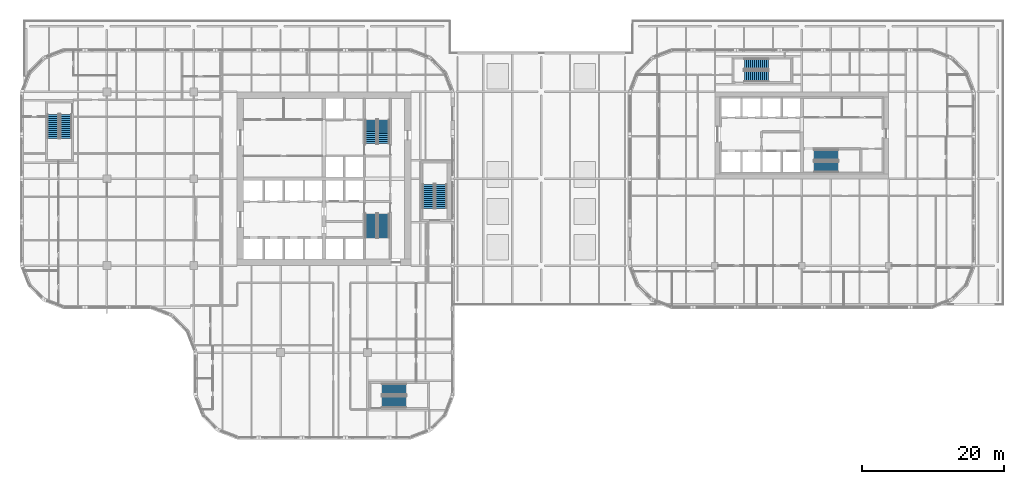
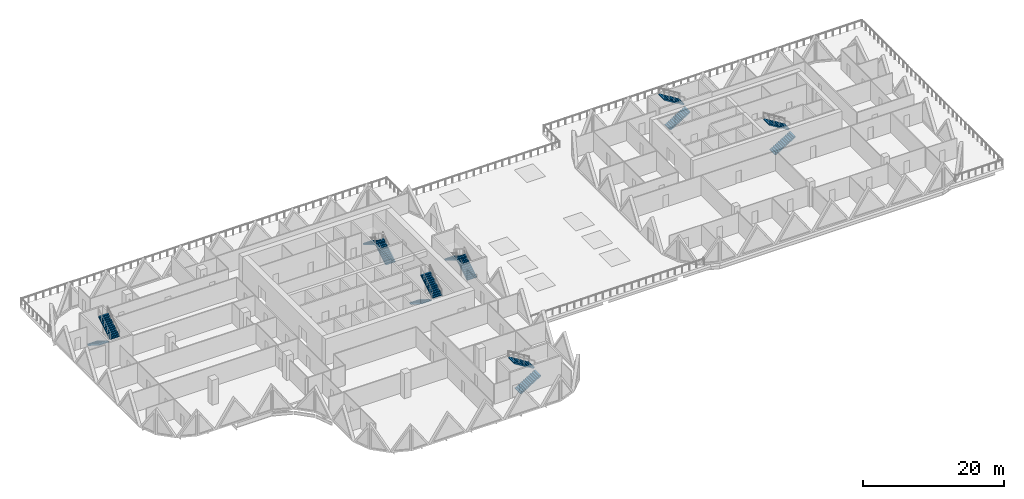
# One storey, part 18 of 21: 14 stair flights, 7 elements without a shape of their own.
"""IFC4 building model written with IfcOpenShell, lengths in metres."""

from ifc_helpers import new_model, si_unit, direction, frame, origin, place, context, subcontext, project, spatial, polyline, outline, extrude, material, type_object, element, aggregate, save


model = new_model("IFC4")

# Units and contexts
model_context = context("Model", 3, precision=1e-05, world=origin(), true_north=direction((0.0, 1.0)))
body_context = subcontext(model_context, "Body", "Model", "MODEL_VIEW")
ifc_project = project(units=[si_unit("LENGTHUNIT", "METRE"), si_unit("AREAUNIT", "SQUARE_METRE"), si_unit("VOLUMEUNIT", "CUBIC_METRE"), si_unit("PLANEANGLEUNIT", "RADIAN"), si_unit("MASSUNIT", "GRAM", prefix="KILO")], contexts=[model_context])

# Site, building, storey
site_placement = place(None, origin())
site = spatial("IfcSite", under=ifc_project, at=site_placement, CompositionType="ELEMENT")
building_placement = place(site_placement, origin())
building = spatial("IfcBuilding", under=site, at=building_placement, Name="Tessera Gate Towers", CompositionType="ELEMENT")
storey_placement = place(building_placement, frame((0.0, 0.0, 16.800048828125)))
storey = spatial("IfcBuildingStorey", under=building, at=storey_placement, Name="L03", CompositionType="ELEMENT", Elevation=16.800048828125)

# Stair, stair flights
ifc_material_1 = material(Name="Concrete C40/50", Category="concrete")
stair_type_1 = type_object("IfcStairType", Name="EXIT STAIR ST1B 1600", PredefinedType="HALF_TURN_STAIR", material=ifc_material_1)
stair_1_placement = place(storey_placement, origin())
stair_1 = element("IfcStair", 1, at=stair_1_placement, inside=storey, type_object=stair_type_1, Name="L03 Protected Exit Stair ST1", PredefinedType="HALF_TURN_STAIR")
ifc_material_2 = material(Name="Concrete C40/50", Category="concrete")
stair_flight_type_1 = type_object("IfcStairFlightType", Name="EXIT STAIR FLIGHT ST1B 1600", PredefinedType="STRAIGHT", material=ifc_material_2)
stair_flight_1_placement = place(storey_placement, frame((49.27490234375, 31.675048828125, 0.0), z_axis=(0.0, 0.0, 1.0), x_axis=(0.0, -1.0, 0.0)))
stair_flight_1 = element("IfcStairFlight", 2, at=stair_flight_1_placement, type_object=stair_flight_type_1, Name="ST1 flight 1", NumberOfRisers=13, NumberOfTreads=12, PredefinedType="STRAIGHT", RiserHeight=0.173076923, TreadLength=0.28, context=body_context, shape_type="SweptSolid", body=[
    extrude(outline(polyline([(0.0, 0.0), (0.0, 0.173095703125), (0.280029296875, 0.173095703125), (0.280029296875, 0.34619140625), (0.56005859375, 0.34619140625), (0.56005859375, 0.519287109375), (0.840087890625, 0.519287109375), (0.840087890625, 0.6923828125), (1.1201171875, 0.6923828125), (1.1201171875, 0.865478515625), (1.39990234375, 0.865478515625), (1.39990234375, 1.03857421875), (1.679931640625, 1.03857421875), (1.679931640625, 1.21142578125), (1.9599609375, 1.21142578125), (1.9599609375, 1.384521484375), (2.239990234375, 1.384521484375), (2.239990234375, 1.5576171875), (2.52001953125, 1.5576171875), (2.52001953125, 1.730712890625), (2.800048828125, 1.730712890625), (2.800048828125, 1.90380859375), (3.080078125, 1.90380859375), (3.080078125, 2.076904296875), (3.360107421875, 2.076904296875), (3.360107421875, 2.25), (3.360107421875, 1.900634765625), (0.28515625, 0.0), (0.0, 0.0)])), frame((0.0, 0.800048828125, 0.0), z_axis=(0.0, -1.0, 0.0), x_axis=(1.0, 0.0, 0.0)), (0.0, 0.0, 1.0), 1.60009765625),
])
stair_flight_2_placement = place(storey_placement, frame((51.074951171875, 28.31494140625, 2.25), z_axis=(0.0, 0.0, 1.0), x_axis=(0.0, 1.0, 0.0)))
stair_flight_2 = element("IfcStairFlight", 3, at=stair_flight_2_placement, type_object=stair_flight_type_1, Name="ST1 flight 2", NumberOfRisers=13, NumberOfTreads=12, PredefinedType="STRAIGHT", RiserHeight=0.173076923, TreadLength=0.28, context=body_context, shape_type="SweptSolid", body=[
    extrude(outline(polyline([(0.0, 0.0), (0.0, 0.173095703125), (0.280029296875, 0.173095703125), (0.280029296875, 0.34619140625), (0.56005859375, 0.34619140625), (0.56005859375, 0.519287109375), (0.840087890625, 0.519287109375), (0.840087890625, 0.6923828125), (1.1201171875, 0.6923828125), (1.1201171875, 0.865478515625), (1.39990234375, 0.865478515625), (1.39990234375, 1.03857421875), (1.679931640625, 1.03857421875), (1.679931640625, 1.21142578125), (1.9599609375, 1.21142578125), (1.9599609375, 1.384521484375), (2.239990234375, 1.384521484375), (2.239990234375, 1.5576171875), (2.52001953125, 1.5576171875), (2.52001953125, 1.730712890625), (2.800048828125, 1.730712890625), (2.800048828125, 1.90380859375), (3.080078125, 1.90380859375), (3.080078125, 2.076904296875), (3.360107421875, 2.076904296875), (3.360107421875, 2.25), (3.360107421875, 1.900634765625), (0.28515625, 0.0), (0.0, 0.0)])), frame((0.0, 0.800048828125, 0.0), z_axis=(0.0, -1.0, 0.0), x_axis=(1.0, 0.0, 0.0)), (0.0, 0.0, 1.0), 1.60009765625),
])
aggregate(stair_1, [stair_flight_1, stair_flight_2])

ifc_material_3 = material(Name="Concrete C40/50", Category="concrete")
stair_type_2 = type_object("IfcStairType", Name="EXIT STAIR ST2B 1600", PredefinedType="HALF_TURN_STAIR", material=ifc_material_3)
stair_2_placement = place(storey_placement, origin())
stair_2 = element("IfcStair", 4, at=stair_2_placement, inside=storey, type_object=stair_type_2, Name="L03 Protected Exit Stair ST2", PredefinedType="HALF_TURN_STAIR")
ifc_material_4 = material(Name="Concrete C40/50", Category="concrete")
stair_flight_type_2 = type_object("IfcStairFlightType", Name="EXIT STAIR FLIGHT ST2B 1600", PredefinedType="STRAIGHT", material=ifc_material_4)
stair_flight_3_placement = place(storey_placement, frame((51.074951171875, 41.52490234375, 0.0), z_axis=(0.0, 0.0, 1.0), x_axis=(0.0, 1.0, 0.0)))
stair_flight_3 = element("IfcStairFlight", 5, at=stair_flight_3_placement, type_object=stair_flight_type_2, Name="ST2 flight 1", NumberOfRisers=13, NumberOfTreads=12, PredefinedType="STRAIGHT", RiserHeight=0.173076923, TreadLength=0.28, context=body_context, shape_type="SweptSolid", body=[
    extrude(outline(polyline([(0.0, 0.0), (0.0, 0.173095703125), (0.280029296875, 0.173095703125), (0.280029296875, 0.34619140625), (0.56005859375, 0.34619140625), (0.56005859375, 0.519287109375), (0.840087890625, 0.519287109375), (0.840087890625, 0.6923828125), (1.1201171875, 0.6923828125), (1.1201171875, 0.865478515625), (1.39990234375, 0.865478515625), (1.39990234375, 1.03857421875), (1.679931640625, 1.03857421875), (1.679931640625, 1.21142578125), (1.9599609375, 1.21142578125), (1.9599609375, 1.384521484375), (2.239990234375, 1.384521484375), (2.239990234375, 1.5576171875), (2.52001953125, 1.5576171875), (2.52001953125, 1.730712890625), (2.800048828125, 1.730712890625), (2.800048828125, 1.90380859375), (3.080078125, 1.90380859375), (3.080078125, 2.076904296875), (3.360107421875, 2.076904296875), (3.360107421875, 2.25), (3.360107421875, 1.900634765625), (0.28515625, 0.0), (0.0, 0.0)])), frame((0.0, 0.800048828125, 0.0), z_axis=(0.0, -1.0, 0.0), x_axis=(1.0, 0.0, 0.0)), (0.0, 0.0, 1.0), 1.60009765625),
])
stair_flight_4_placement = place(storey_placement, frame((49.27490234375, 44.885009765625, 2.25), z_axis=(0.0, 0.0, 1.0), x_axis=(0.0, -1.0, 0.0)))
stair_flight_4 = element("IfcStairFlight", 6, at=stair_flight_4_placement, type_object=stair_flight_type_2, Name="ST2 flight 2", NumberOfRisers=13, NumberOfTreads=12, PredefinedType="STRAIGHT", RiserHeight=0.173076923, TreadLength=0.28, context=body_context, shape_type="SweptSolid", body=[
    extrude(outline(polyline([(0.0, 0.0), (0.0, 0.173095703125), (0.280029296875, 0.173095703125), (0.280029296875, 0.34619140625), (0.56005859375, 0.34619140625), (0.56005859375, 0.519287109375), (0.840087890625, 0.519287109375), (0.840087890625, 0.6923828125), (1.1201171875, 0.6923828125), (1.1201171875, 0.865478515625), (1.39990234375, 0.865478515625), (1.39990234375, 1.03857421875), (1.679931640625, 1.03857421875), (1.679931640625, 1.21142578125), (1.9599609375, 1.21142578125), (1.9599609375, 1.384521484375), (2.239990234375, 1.384521484375), (2.239990234375, 1.5576171875), (2.52001953125, 1.5576171875), (2.52001953125, 1.730712890625), (2.800048828125, 1.730712890625), (2.800048828125, 1.90380859375), (3.080078125, 1.90380859375), (3.080078125, 2.076904296875), (3.360107421875, 2.076904296875), (3.360107421875, 2.25), (3.360107421875, 1.900634765625), (0.28515625, 0.0), (0.0, 0.0)])), frame((0.0, 0.800048828125, 0.0), z_axis=(0.0, -1.0, 0.0), x_axis=(1.0, 0.0, 0.0)), (0.0, 0.0, 1.0), 1.60009765625),
])
aggregate(stair_2, [stair_flight_3, stair_flight_4])

ifc_material_5 = material(Name="Concrete C40/50", Category="concrete")
stair_type_3 = type_object("IfcStairType", Name="EXIT STAIR ST3B 1600", PredefinedType="HALF_TURN_STAIR", material=ifc_material_5)
stair_3_placement = place(storey_placement, origin())
stair_3 = element("IfcStair", 7, at=stair_3_placement, inside=storey, type_object=stair_type_3, Name="L03 West Exit Stair ST3", PredefinedType="HALF_TURN_STAIR")
ifc_material_6 = material(Name="Concrete C40/50", Category="concrete")
stair_flight_type_3 = type_object("IfcStairFlightType", Name="EXIT STAIR FLIGHT ST3B 1600", PredefinedType="STRAIGHT", material=ifc_material_6)
stair_flight_5_placement = place(storey_placement, frame((4.64990234375, 45.64990234375, 0.0), z_axis=(0.0, 0.0, 1.0), x_axis=(0.0, -1.0, 0.0)))
stair_flight_5 = element("IfcStairFlight", 8, at=stair_flight_5_placement, type_object=stair_flight_type_3, Name="ST3 flight 1", NumberOfRisers=13, NumberOfTreads=12, PredefinedType="STRAIGHT", RiserHeight=0.173076923, TreadLength=0.28, context=body_context, shape_type="SweptSolid", body=[
    extrude(outline(polyline([(0.0, 0.0), (0.0, 0.173095703125), (0.280029296875, 0.173095703125), (0.280029296875, 0.34619140625), (0.56005859375, 0.34619140625), (0.56005859375, 0.519287109375), (0.840087890625, 0.519287109375), (0.840087890625, 0.6923828125), (1.1201171875, 0.6923828125), (1.1201171875, 0.865478515625), (1.39990234375, 0.865478515625), (1.39990234375, 1.03857421875), (1.679931640625, 1.03857421875), (1.679931640625, 1.21142578125), (1.9599609375, 1.21142578125), (1.9599609375, 1.384521484375), (2.239990234375, 1.384521484375), (2.239990234375, 1.5576171875), (2.52001953125, 1.5576171875), (2.52001953125, 1.730712890625), (2.800048828125, 1.730712890625), (2.800048828125, 1.90380859375), (3.080078125, 1.90380859375), (3.080078125, 2.076904296875), (3.360107421875, 2.076904296875), (3.360107421875, 2.25), (3.360107421875, 1.900634765625), (0.28515625, 0.0), (0.0, 0.0)])), frame((0.0, 0.800048828125, 0.0), z_axis=(0.0, -1.0, 0.0), x_axis=(1.0, 0.0, 0.0)), (0.0, 0.0, 1.0), 1.60009765625),
])
stair_flight_6_placement = place(storey_placement, frame((6.449951171875, 42.2900390625, 2.25), z_axis=(0.0, 0.0, 1.0), x_axis=(0.0, 1.0, 0.0)))
stair_flight_6 = element("IfcStairFlight", 9, at=stair_flight_6_placement, type_object=stair_flight_type_3, Name="ST3 flight 2", NumberOfRisers=13, NumberOfTreads=12, PredefinedType="STRAIGHT", RiserHeight=0.173076923, TreadLength=0.28, context=body_context, shape_type="SweptSolid", body=[
    extrude(outline(polyline([(0.0, 0.0), (0.0, 0.173095703125), (0.280029296875, 0.173095703125), (0.280029296875, 0.34619140625), (0.56005859375, 0.34619140625), (0.56005859375, 0.519287109375), (0.840087890625, 0.519287109375), (0.840087890625, 0.6923828125), (1.1201171875, 0.6923828125), (1.1201171875, 0.865478515625), (1.39990234375, 0.865478515625), (1.39990234375, 1.03857421875), (1.679931640625, 1.03857421875), (1.679931640625, 1.21142578125), (1.9599609375, 1.21142578125), (1.9599609375, 1.384521484375), (2.239990234375, 1.384521484375), (2.239990234375, 1.5576171875), (2.52001953125, 1.5576171875), (2.52001953125, 1.730712890625), (2.800048828125, 1.730712890625), (2.800048828125, 1.90380859375), (3.080078125, 1.90380859375), (3.080078125, 2.076904296875), (3.360107421875, 2.076904296875), (3.360107421875, 2.25), (3.360107421875, 1.900634765625), (0.28515625, 0.0), (0.0, 0.0)])), frame((0.0, 0.800048828125, 0.0), z_axis=(0.0, -1.0, 0.0), x_axis=(1.0, 0.0, 0.0)), (0.0, 0.0, 1.0), 1.60009765625),
])
aggregate(stair_3, [stair_flight_5, stair_flight_6])

ifc_material_7 = material(Name="Concrete C40/50", Category="concrete")
stair_type_4 = type_object("IfcStairType", Name="EXIT STAIR ST4B 1600", PredefinedType="HALF_TURN_STAIR", material=ifc_material_7)
stair_4_placement = place(storey_placement, origin())
stair_4 = element("IfcStair", 10, at=stair_4_placement, inside=storey, type_object=stair_type_4, Name="L03 South Exit Stair ST4", PredefinedType="HALF_TURN_STAIR")
ifc_material_8 = material(Name="Concrete C40/50", Category="concrete")
stair_flight_type_4 = type_object("IfcStairFlightType", Name="EXIT STAIR FLIGHT ST4B 1600", PredefinedType="STRAIGHT", material=ifc_material_8)
stair_flight_7_placement = place(storey_placement, frame((50.85009765625, 5.25, 0.0), z_axis=(0.0, 0.0, 1.0), x_axis=(1.0, 0.0, 0.0)))
stair_flight_7 = element("IfcStairFlight", 11, at=stair_flight_7_placement, type_object=stair_flight_type_4, Name="ST4 flight 1", NumberOfRisers=13, NumberOfTreads=12, PredefinedType="STRAIGHT", RiserHeight=0.173076923, TreadLength=0.28, context=body_context, shape_type="SweptSolid", body=[
    extrude(outline(polyline([(0.0, 0.0), (0.0, 0.173095703125), (0.280029296875, 0.173095703125), (0.280029296875, 0.34619140625), (0.56005859375, 0.34619140625), (0.56005859375, 0.519287109375), (0.840087890625, 0.519287109375), (0.840087890625, 0.6923828125), (1.1201171875, 0.6923828125), (1.1201171875, 0.865478515625), (1.39990234375, 0.865478515625), (1.39990234375, 1.03857421875), (1.679931640625, 1.03857421875), (1.679931640625, 1.21142578125), (1.9599609375, 1.21142578125), (1.9599609375, 1.384521484375), (2.239990234375, 1.384521484375), (2.239990234375, 1.5576171875), (2.52001953125, 1.5576171875), (2.52001953125, 1.730712890625), (2.800048828125, 1.730712890625), (2.800048828125, 1.90380859375), (3.080078125, 1.90380859375), (3.080078125, 2.076904296875), (3.360107421875, 2.076904296875), (3.360107421875, 2.25), (3.360107421875, 1.900634765625), (0.28515625, 0.0), (0.0, 0.0)])), frame((0.0, 0.800048828125, 0.0), z_axis=(0.0, -1.0, 0.0), x_axis=(1.0, 0.0, 0.0)), (0.0, 0.0, 1.0), 1.60009765625),
])
stair_flight_8_placement = place(storey_placement, frame((54.2099609375, 7.050048828125, 2.25), z_axis=(0.0, 0.0, 1.0), x_axis=(-1.0, 0.0, 0.0)))
stair_flight_8 = element("IfcStairFlight", 12, at=stair_flight_8_placement, type_object=stair_flight_type_4, Name="ST4 flight 2", NumberOfRisers=13, NumberOfTreads=12, PredefinedType="STRAIGHT", RiserHeight=0.173076923, TreadLength=0.28, context=body_context, shape_type="SweptSolid", body=[
    extrude(outline(polyline([(0.0, 0.0), (0.0, 0.173095703125), (0.280029296875, 0.173095703125), (0.280029296875, 0.34619140625), (0.56005859375, 0.34619140625), (0.56005859375, 0.519287109375), (0.840087890625, 0.519287109375), (0.840087890625, 0.6923828125), (1.1201171875, 0.6923828125), (1.1201171875, 0.865478515625), (1.39990234375, 0.865478515625), (1.39990234375, 1.03857421875), (1.679931640625, 1.03857421875), (1.679931640625, 1.21142578125), (1.9599609375, 1.21142578125), (1.9599609375, 1.384521484375), (2.239990234375, 1.384521484375), (2.239990234375, 1.5576171875), (2.52001953125, 1.5576171875), (2.52001953125, 1.730712890625), (2.800048828125, 1.730712890625), (2.800048828125, 1.90380859375), (3.080078125, 1.90380859375), (3.080078125, 2.076904296875), (3.360107421875, 2.076904296875), (3.360107421875, 2.25), (3.360107421875, 1.900634765625), (0.28515625, 0.0), (0.0, 0.0)])), frame((0.0, 0.800048828125, 0.0), z_axis=(0.0, -1.0, 0.0), x_axis=(1.0, 0.0, 0.0)), (0.0, 0.0, 1.0), 1.60009765625),
])
aggregate(stair_4, [stair_flight_7, stair_flight_8])

ifc_material_9 = material(Name="Concrete C40/50", Category="concrete")
stair_type_5 = type_object("IfcStairType", Name="EXIT STAIR ST5B 1600", PredefinedType="HALF_TURN_STAIR", material=ifc_material_9)
stair_5_placement = place(storey_placement, origin())
stair_5 = element("IfcStair", 13, at=stair_5_placement, inside=storey, type_object=stair_type_5, Name="L03 East Exit Stair ST5", PredefinedType="HALF_TURN_STAIR")
ifc_material_10 = material(Name="Concrete C40/50", Category="concrete")
stair_flight_type_5 = type_object("IfcStairFlightType", Name="EXIT STAIR FLIGHT ST5B 1600", PredefinedType="STRAIGHT", material=ifc_material_10)
stair_flight_9_placement = place(storey_placement, frame((59.14990234375, 32.449951171875, 0.0), z_axis=(0.0, 0.0, 1.0), x_axis=(0.0, 1.0, 0.0)))
stair_flight_9 = element("IfcStairFlight", 14, at=stair_flight_9_placement, type_object=stair_flight_type_5, Name="ST5 flight 1", NumberOfRisers=13, NumberOfTreads=12, PredefinedType="STRAIGHT", RiserHeight=0.173076923, TreadLength=0.28, context=body_context, shape_type="SweptSolid", body=[
    extrude(outline(polyline([(0.0, 0.0), (0.0, 0.173095703125), (0.280029296875, 0.173095703125), (0.280029296875, 0.34619140625), (0.56005859375, 0.34619140625), (0.56005859375, 0.519287109375), (0.840087890625, 0.519287109375), (0.840087890625, 0.6923828125), (1.1201171875, 0.6923828125), (1.1201171875, 0.865478515625), (1.39990234375, 0.865478515625), (1.39990234375, 1.03857421875), (1.679931640625, 1.03857421875), (1.679931640625, 1.21142578125), (1.9599609375, 1.21142578125), (1.9599609375, 1.384521484375), (2.239990234375, 1.384521484375), (2.239990234375, 1.5576171875), (2.52001953125, 1.5576171875), (2.52001953125, 1.730712890625), (2.800048828125, 1.730712890625), (2.800048828125, 1.90380859375), (3.080078125, 1.90380859375), (3.080078125, 2.076904296875), (3.360107421875, 2.076904296875), (3.360107421875, 2.25), (3.360107421875, 1.900634765625), (0.28515625, 0.0), (0.0, 0.0)])), frame((0.0, 0.800048828125, 0.0), z_axis=(0.0, -1.0, 0.0), x_axis=(1.0, 0.0, 0.0)), (0.0, 0.0, 1.0), 1.60009765625),
])
stair_flight_10_placement = place(storey_placement, frame((57.35009765625, 35.81005859375, 2.25), z_axis=(0.0, 0.0, 1.0), x_axis=(0.0, -1.0, 0.0)))
stair_flight_10 = element("IfcStairFlight", 15, at=stair_flight_10_placement, type_object=stair_flight_type_5, Name="ST5 flight 2", NumberOfRisers=13, NumberOfTreads=12, PredefinedType="STRAIGHT", RiserHeight=0.173076923, TreadLength=0.28, context=body_context, shape_type="SweptSolid", body=[
    extrude(outline(polyline([(0.0, 0.0), (0.0, 0.173095703125), (0.280029296875, 0.173095703125), (0.280029296875, 0.34619140625), (0.56005859375, 0.34619140625), (0.56005859375, 0.519287109375), (0.840087890625, 0.519287109375), (0.840087890625, 0.6923828125), (1.1201171875, 0.6923828125), (1.1201171875, 0.865478515625), (1.39990234375, 0.865478515625), (1.39990234375, 1.03857421875), (1.679931640625, 1.03857421875), (1.679931640625, 1.21142578125), (1.9599609375, 1.21142578125), (1.9599609375, 1.384521484375), (2.239990234375, 1.384521484375), (2.239990234375, 1.5576171875), (2.52001953125, 1.5576171875), (2.52001953125, 1.730712890625), (2.800048828125, 1.730712890625), (2.800048828125, 1.90380859375), (3.080078125, 1.90380859375), (3.080078125, 2.076904296875), (3.360107421875, 2.076904296875), (3.360107421875, 2.25), (3.360107421875, 1.900634765625), (0.28515625, 0.0), (0.0, 0.0)])), frame((0.0, 0.800048828125, 0.0), z_axis=(0.0, -1.0, 0.0), x_axis=(1.0, 0.0, 0.0)), (0.0, 0.0, 1.0), 1.60009765625),
])
aggregate(stair_5, [stair_flight_9, stair_flight_10])

ifc_material_11 = material(Name="Concrete C40/50", Category="concrete")
stair_type_6 = type_object("IfcStairType", Name="EXIT STAIR ST6B 1500", PredefinedType="HALF_TURN_STAIR", material=ifc_material_11)
stair_6_placement = place(storey_placement, origin())
stair_6 = element("IfcStair", 16, at=stair_6_placement, inside=storey, type_object=stair_type_6, Name="L03 Protected Exit Stair ST6", PredefinedType="HALF_TURN_STAIR")
ifc_material_12 = material(Name="Concrete C40/50", Category="concrete")
stair_flight_type_6 = type_object("IfcStairFlightType", Name="EXIT STAIR FLIGHT ST6B 1500", PredefinedType="STRAIGHT", material=ifc_material_12)
stair_flight_11_placement = place(storey_placement, frame((111.550048828125, 38.25, 0.0), z_axis=(0.0, 0.0, 1.0), x_axis=(1.0, 0.0, 0.0)))
stair_flight_11 = element("IfcStairFlight", 17, at=stair_flight_11_placement, type_object=stair_flight_type_6, Name="ST6 flight 1", NumberOfRisers=13, NumberOfTreads=12, PredefinedType="STRAIGHT", RiserHeight=0.173076923, TreadLength=0.28, context=body_context, shape_type="SweptSolid", body=[
    extrude(outline(polyline([(0.0, 0.0), (0.0, 0.173095703125), (0.280029296875, 0.173095703125), (0.280029296875, 0.34619140625), (0.56005859375, 0.34619140625), (0.56005859375, 0.519287109375), (0.840087890625, 0.519287109375), (0.840087890625, 0.6923828125), (1.1201171875, 0.6923828125), (1.1201171875, 0.865478515625), (1.39990234375, 0.865478515625), (1.39990234375, 1.03857421875), (1.679931640625, 1.03857421875), (1.679931640625, 1.21142578125), (1.9599609375, 1.21142578125), (1.9599609375, 1.384521484375), (2.239990234375, 1.384521484375), (2.239990234375, 1.5576171875), (2.52001953125, 1.5576171875), (2.52001953125, 1.730712890625), (2.800048828125, 1.730712890625), (2.800048828125, 1.90380859375), (3.080078125, 1.90380859375), (3.080078125, 2.076904296875), (3.360107421875, 2.076904296875), (3.360107421875, 2.25), (3.360107421875, 1.900634765625), (0.28515625, 0.0), (0.0, 0.0)])), frame((0.0, 0.75, 0.0), z_axis=(0.0, -1.0, 0.0), x_axis=(1.0, 0.0, 0.0)), (0.0, 0.0, 1.0), 1.5),
])
stair_flight_12_placement = place(storey_placement, frame((114.909912109375, 39.949951171875, 2.25), z_axis=(0.0, 0.0, 1.0), x_axis=(-1.0, 0.0, 0.0)))
stair_flight_12 = element("IfcStairFlight", 18, at=stair_flight_12_placement, type_object=stair_flight_type_6, Name="ST6 flight 2", NumberOfRisers=13, NumberOfTreads=12, PredefinedType="STRAIGHT", RiserHeight=0.173076923, TreadLength=0.28, context=body_context, shape_type="SweptSolid", body=[
    extrude(outline(polyline([(0.0, 0.0), (0.0, 0.173095703125), (0.280029296875, 0.173095703125), (0.280029296875, 0.34619140625), (0.56005859375, 0.34619140625), (0.56005859375, 0.519287109375), (0.840087890625, 0.519287109375), (0.840087890625, 0.6923828125), (1.1201171875, 0.6923828125), (1.1201171875, 0.865478515625), (1.39990234375, 0.865478515625), (1.39990234375, 1.03857421875), (1.679931640625, 1.03857421875), (1.679931640625, 1.21142578125), (1.9599609375, 1.21142578125), (1.9599609375, 1.384521484375), (2.239990234375, 1.384521484375), (2.239990234375, 1.5576171875), (2.52001953125, 1.5576171875), (2.52001953125, 1.730712890625), (2.800048828125, 1.730712890625), (2.800048828125, 1.90380859375), (3.080078125, 1.90380859375), (3.080078125, 2.076904296875), (3.360107421875, 2.076904296875), (3.360107421875, 2.25), (3.360107421875, 1.900634765625), (0.28515625, 0.0), (0.0, 0.0)])), frame((0.0, 0.75, 0.0), z_axis=(0.0, -1.0, 0.0), x_axis=(1.0, 0.0, 0.0)), (0.0, 0.0, 1.0), 1.5),
])
aggregate(stair_6, [stair_flight_11, stair_flight_12])

ifc_material_13 = material(Name="Concrete C40/50", Category="concrete")
stair_type_7 = type_object("IfcStairType", Name="EXIT STAIR ST7B 1500", PredefinedType="HALF_TURN_STAIR", material=ifc_material_13)
stair_7_placement = place(storey_placement, origin())
stair_7 = element("IfcStair", 19, at=stair_7_placement, inside=storey, type_object=stair_type_7, Name="L03 North Exit Stair ST7", PredefinedType="HALF_TURN_STAIR")
ifc_material_14 = material(Name="Concrete C40/50", Category="concrete")
stair_flight_type_7 = type_object("IfcStairFlightType", Name="EXIT STAIR FLIGHT ST7B 1500", PredefinedType="STRAIGHT", material=ifc_material_14)
stair_flight_13_placement = place(storey_placement, frame((101.75, 51.0, 0.0), z_axis=(0.0, 0.0, 1.0), x_axis=(1.0, 0.0, 0.0)))
stair_flight_13 = element("IfcStairFlight", 20, at=stair_flight_13_placement, type_object=stair_flight_type_7, Name="ST7 flight 1", NumberOfRisers=13, NumberOfTreads=12, PredefinedType="STRAIGHT", RiserHeight=0.173076923, TreadLength=0.28, context=body_context, shape_type="SweptSolid", body=[
    extrude(outline(polyline([(0.0, 0.0), (0.0, 0.173095703125), (0.280029296875, 0.173095703125), (0.280029296875, 0.34619140625), (0.56005859375, 0.34619140625), (0.56005859375, 0.519287109375), (0.840087890625, 0.519287109375), (0.840087890625, 0.6923828125), (1.1201171875, 0.6923828125), (1.1201171875, 0.865478515625), (1.39990234375, 0.865478515625), (1.39990234375, 1.03857421875), (1.679931640625, 1.03857421875), (1.679931640625, 1.21142578125), (1.9599609375, 1.21142578125), (1.9599609375, 1.384521484375), (2.239990234375, 1.384521484375), (2.239990234375, 1.5576171875), (2.52001953125, 1.5576171875), (2.52001953125, 1.730712890625), (2.800048828125, 1.730712890625), (2.800048828125, 1.90380859375), (3.080078125, 1.90380859375), (3.080078125, 2.076904296875), (3.360107421875, 2.076904296875), (3.360107421875, 2.25), (3.360107421875, 1.900634765625), (0.28515625, 0.0), (0.0, 0.0)])), frame((0.0, 0.75, 0.0), z_axis=(0.0, -1.0, 0.0), x_axis=(1.0, 0.0, 0.0)), (0.0, 0.0, 1.0), 1.5),
])
stair_flight_14_placement = place(storey_placement, frame((105.110107421875, 52.699951171875, 2.25), z_axis=(0.0, 0.0, 1.0), x_axis=(-1.0, 0.0, 0.0)))
stair_flight_14 = element("IfcStairFlight", 21, at=stair_flight_14_placement, type_object=stair_flight_type_7, Name="ST7 flight 2", NumberOfRisers=13, NumberOfTreads=12, PredefinedType="STRAIGHT", RiserHeight=0.173076923, TreadLength=0.28, context=body_context, shape_type="SweptSolid", body=[
    extrude(outline(polyline([(0.0, 0.0), (0.0, 0.173095703125), (0.280029296875, 0.173095703125), (0.280029296875, 0.34619140625), (0.56005859375, 0.34619140625), (0.56005859375, 0.519287109375), (0.840087890625, 0.519287109375), (0.840087890625, 0.6923828125), (1.1201171875, 0.6923828125), (1.1201171875, 0.865478515625), (1.39990234375, 0.865478515625), (1.39990234375, 1.03857421875), (1.679931640625, 1.03857421875), (1.679931640625, 1.21142578125), (1.9599609375, 1.21142578125), (1.9599609375, 1.384521484375), (2.239990234375, 1.384521484375), (2.239990234375, 1.5576171875), (2.52001953125, 1.5576171875), (2.52001953125, 1.730712890625), (2.800048828125, 1.730712890625), (2.800048828125, 1.90380859375), (3.080078125, 1.90380859375), (3.080078125, 2.076904296875), (3.360107421875, 2.076904296875), (3.360107421875, 2.25), (3.360107421875, 1.900634765625), (0.28515625, 0.0), (0.0, 0.0)])), frame((0.0, 0.75, 0.0), z_axis=(0.0, -1.0, 0.0), x_axis=(1.0, 0.0, 0.0)), (0.0, 0.0, 1.0), 1.5),
])
aggregate(stair_7, [stair_flight_13, stair_flight_14])

save(model, "model.ifc")
